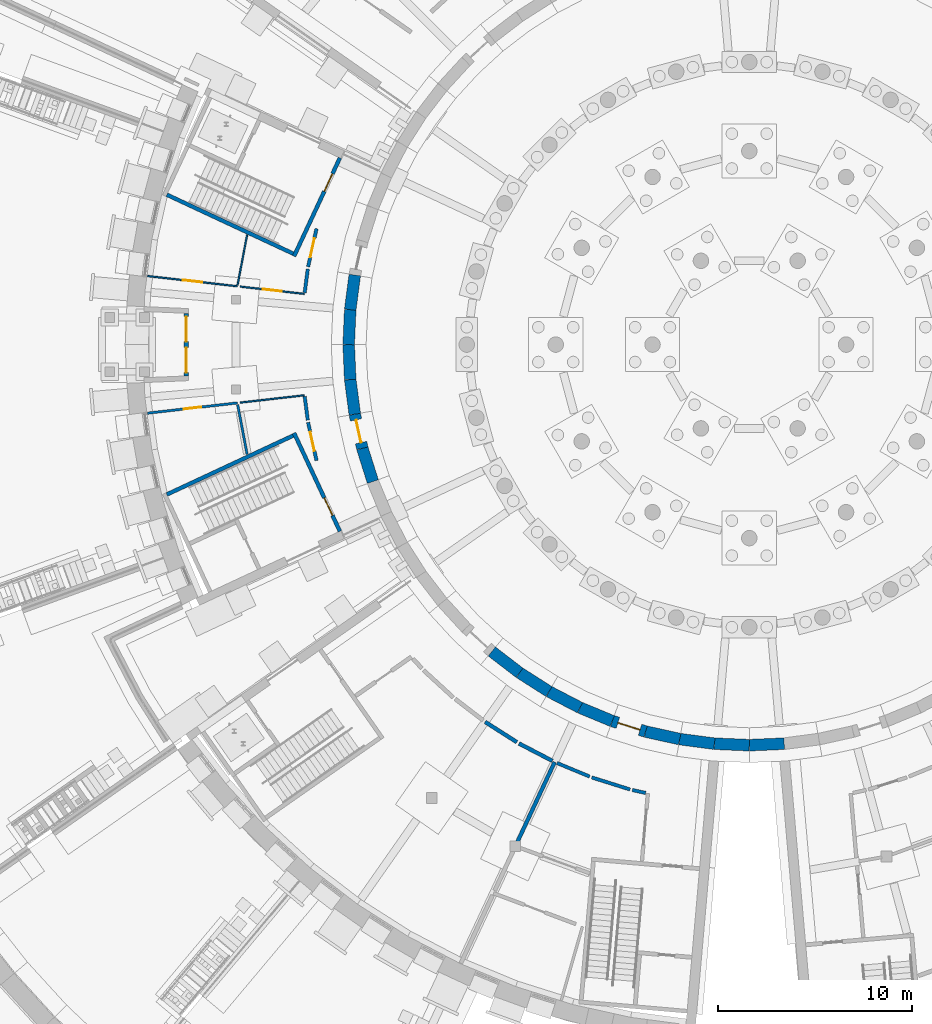
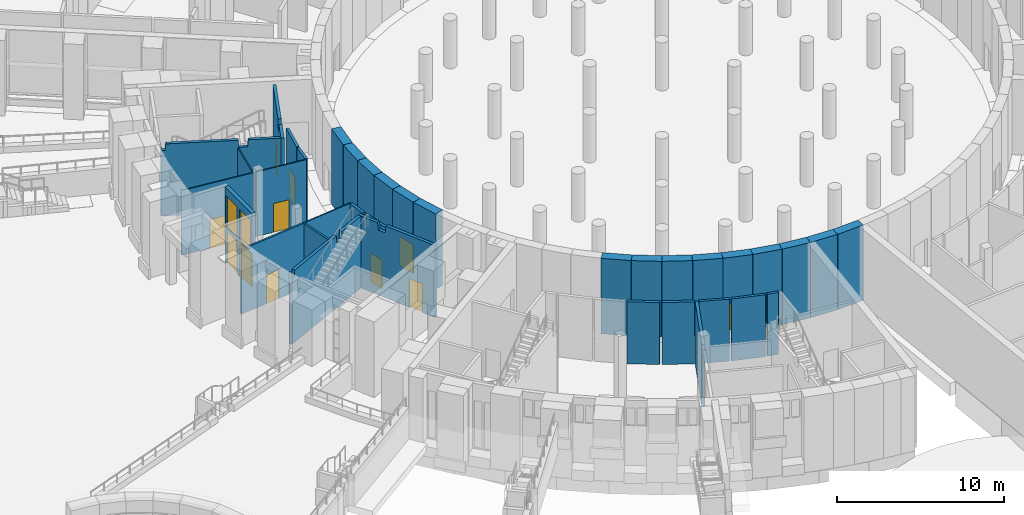
# One storey, part 39 of 65: 36 walls, 11 doors, 2 windows, 13 openings.
"""IFC4 building model written with IfcOpenShell, lengths in metres."""

from ifc_helpers import new_model, si_unit, direction, frame, frame_2d, origin, place, context, subcontext, project, spatial, polyline, rectangle, outline, extrude, material, layer, layer_set, type_object, element, fill, save


model = new_model("IFC4")

# Units and contexts
model_context = context("Model", 3, precision=1e-05, world=origin(), true_north=direction((0.0, 1.0)))
body_context = subcontext(model_context, "Body", "Model", "MODEL_VIEW")
ifc_project = project(units=[si_unit("LENGTHUNIT", "METRE"), si_unit("AREAUNIT", "SQUARE_METRE"), si_unit("VOLUMEUNIT", "CUBIC_METRE"), si_unit("PLANEANGLEUNIT", "RADIAN"), si_unit("MASSUNIT", "GRAM", prefix="KILO")], contexts=[model_context])

# Site, building, storey
site_placement = place(None, origin())
site = spatial("IfcSite", under=ifc_project, at=site_placement, CompositionType="ELEMENT")
building_placement = place(site_placement, origin())
building = spatial("IfcBuilding", under=site, at=building_placement, Name="Volute Hill Aquarium", CompositionType="ELEMENT")
storey_placement = place(building_placement, frame((0.0, 0.0, -5.5)))
storey = spatial("IfcBuildingStorey", under=building, at=storey_placement, Name="L00", CompositionType="ELEMENT", Elevation=-5.5)

# Wall, opening, door
ifc_material_1 = material(Name="Concrete C30/37", Category="concrete")
ifc_layer_1 = layer(ifc_material_1, 0.199951171875)
ifc_layer_set_1 = layer_set([ifc_layer_1], Name="Core wall 200 REI 60")
wall_type_1 = type_object("IfcWallType", Name="Core wall 200 REI 60", PredefinedType="SHEAR", material=ifc_layer_set_1)
wall_1_placement = place(storey_placement, frame((-21.15625, 9.64453125, 0.0), z_axis=(0.0, 0.0, 1.0), x_axis=(-0.422596646043, -0.906317866288, 0.0)))
wall_1 = element("IfcWall", 1, at=wall_1_placement, inside=storey, type_object=wall_type_1, Name="wc/S1-A/L00/in", PredefinedType="SHEAR", context=body_context, shape_type="SweptSolid", body=[
    extrude(outline(polyline([(0.0, 0.0), (5.599853515625, 0.0), (5.60009765625, 5.25), (4.181884765625, 5.25), (4.1318359375, 4.72998046875), (3.6318359375, 4.72998046875), (3.581787109375, 5.25), (0.0, 5.25), (0.0, 0.0)])), frame((0.0, 0.10009765625, 0.0), z_axis=(0.0, -1.0, 0.0), x_axis=(1.0, 0.0, 0.0)), (0.0, 0.0, 1.0), 0.199951171875),
])
opening_1_placement = place(wall_1_placement, frame((0.89990234375, 0.0, 0.0)))
opening_1 = element("IfcOpeningElement", 2, at=opening_1_placement, cuts=wall_1, Name="Opening D1.00.AS", PredefinedType="OPENING", context=body_context, shape_type="SweptSolid", body=[
    extrude(rectangle(XDim=1.0, YDim=2.10009765625, at=frame_2d((0.5, 1.050048828125))), frame((0.0, 0.10986328125, 0.0), z_axis=(0.0, -1.0, 0.0), x_axis=(1.0, 0.0, 0.0)), (0.0, 0.0, 1.0), 0.219970703125),
])
ifc_material_2 = material(Name="Timber, fire-rated", Category="wood")
door_type_1 = type_object("IfcDoorType", Name="Door 1000 x 2100 single EI1 30", OperationType="SINGLE_SWING_LEFT", PredefinedType="DOOR", material=ifc_material_2)
door_1_placement = place(opening_1_placement, origin())
door_1 = element("IfcDoor", 3, at=door_1_placement, inside=storey, type_object=door_type_1, Name="d/S1-A/L00/st", OperationType="SINGLE_SWING_RIGHT", OverallHeight=2.10009765625, OverallWidth=1.0, PredefinedType="DOOR", context=body_context, shape_type="SweptSolid", body=[
    extrude(rectangle(XDim=1.0, YDim=2.10009765625, at=frame_2d((0.5, 1.050048828125))), frame((0.0, 0.02490234375, 0.0), z_axis=(0.0, -1.0, 0.0), x_axis=(1.0, 0.0, 0.0)), (0.0, 0.0, 1.0), 0.050048828125),
])
fill(opening_1, door_1)

# Wall
wall_2_placement = place(storey_placement, frame((-23.5712890625, 4.7021484375, 0.0), z_axis=(0.0, 0.0, 1.0), x_axis=(-0.906300917592, 0.422632992999, 0.0)))
element("IfcWall", 4, at=wall_2_placement, inside=storey, type_object=wall_type_1, Name="wc/S1-A/L00/side", PredefinedType="SHEAR", context=body_context, shape_type="SweptSolid", body=[
    extrude(outline(polyline([(0.0, 0.0), (7.199951171875, 0.0), (7.199951171875, 5.25), (7.14990234375, 4.780029296875), (6.949951171875, 4.780029296875), (6.89990234375, 5.25), (2.55224609375, 5.25), (2.502197265625, 4.72998046875), (2.002197265625, 4.72998046875), (1.952392578125, 5.25), (0.0, 5.25), (0.0, 0.0)])), frame((0.0, 0.10009765625, 0.0), z_axis=(0.0, -1.0, 0.0), x_axis=(1.0, 0.0, 0.0)), (0.0, 0.0, 1.0), 0.199951171875),
])

# Wall, opening, door
wall_3_placement = place(storey_placement, frame((-21.15625, -9.64453125, 0.0), z_axis=(0.0, 0.0, 1.0), x_axis=(-0.422596646043, 0.906317866288, 0.0)))
wall_3 = element("IfcWall", 5, at=wall_3_placement, inside=storey, type_object=wall_type_1, Name="wc/S1-B/L00/in", PredefinedType="SHEAR", context=body_context, shape_type="SweptSolid", body=[
    extrude(outline(polyline([(0.0, 0.0), (5.599853515625, 0.0), (5.60009765625, 5.25), (4.181884765625, 5.25), (4.1318359375, 4.72998046875), (3.6318359375, 4.72998046875), (3.581787109375, 5.25), (0.0, 5.25), (0.0, 0.0)])), frame((0.0, 0.10009765625, 0.0), z_axis=(0.0, -1.0, 0.0), x_axis=(1.0, 0.0, 0.0)), (0.0, 0.0, 1.0), 0.199951171875),
])
opening_2_placement = place(wall_3_placement, frame((0.89990234375, 0.0, 0.0)))
opening_2 = element("IfcOpeningElement", 6, at=opening_2_placement, cuts=wall_3, Name="Opening D1.00.BS", PredefinedType="OPENING", context=body_context, shape_type="SweptSolid", body=[
    extrude(rectangle(XDim=1.0, YDim=2.10009765625, at=frame_2d((0.5, 1.050048828125))), frame((0.0, 0.10986328125, 0.0), z_axis=(0.0, -1.0, 0.0), x_axis=(1.0, 0.0, 0.0)), (0.0, 0.0, 1.0), 0.219970703125),
])
door_2_placement = place(opening_2_placement, origin())
door_2 = element("IfcDoor", 7, at=door_2_placement, inside=storey, type_object=door_type_1, Name="d/S1-B/L00/st", OperationType="SINGLE_SWING_RIGHT", OverallHeight=2.10009765625, OverallWidth=1.0, PredefinedType="DOOR", context=body_context, shape_type="SweptSolid", body=[
    extrude(rectangle(XDim=1.0, YDim=2.10009765625, at=frame_2d((0.5, 1.050048828125))), frame((0.0, 0.02490234375, 0.0), z_axis=(0.0, -1.0, 0.0), x_axis=(1.0, 0.0, 0.0)), (0.0, 0.0, 1.0), 0.050048828125),
])
fill(opening_2, door_2)

# Wall
wall_4_placement = place(storey_placement, frame((-23.5712890625, -4.7021484375, 0.0), z_axis=(0.0, 0.0, 1.0), x_axis=(-0.906300917592, -0.422632992999, 0.0)))
element("IfcWall", 8, at=wall_4_placement, inside=storey, type_object=wall_type_1, Name="wc/S1-B/L00/side", PredefinedType="SHEAR", context=body_context, shape_type="SweptSolid", body=[
    extrude(outline(polyline([(0.0, 0.0), (7.199951171875, 0.0), (7.199951171875, 5.25), (7.14990234375, 4.780029296875), (6.949951171875, 4.780029296875), (6.89990234375, 5.25), (2.55224609375, 5.25), (2.502197265625, 4.72998046875), (2.002197265625, 4.72998046875), (1.952392578125, 5.25), (0.0, 5.25), (0.0, 0.0)])), frame((0.0, 0.10009765625, 0.0), z_axis=(0.0, -1.0, 0.0), x_axis=(1.0, 0.0, 0.0)), (0.0, 0.0, 1.0), 0.199951171875),
])

# Wall, opening, door
ifc_material_3 = material(Name="Gypsum board on steel studs", Category="steel")
ifc_layer_2 = layer(ifc_material_3, 0.175048828125)
ifc_layer_set_2 = layer_set([ifc_layer_2], Name="Corridor partition 175 EI 60")
wall_type_2 = type_object("IfcWallType", Name="Corridor partition 175 EI 60", PredefinedType="PARTITIONING", material=ifc_layer_set_2)
wall_5_placement = place(storey_placement, frame((-22.361083984375, -5.99169921875, 0.0), z_axis=(0.0, 0.0, 1.0), x_axis=(-0.216508045227, 0.976280833752, 0.0)))
wall_5 = element("IfcWall", 9, at=wall_5_placement, inside=storey, type_object=wall_type_2, Name="pw/S1/L00/007", PredefinedType="PARTITIONING", context=body_context, shape_type="SweptSolid", body=[
    extrude(rectangle(XDim=2.01953125, YDim=0.175048828125, at=frame_2d((1.009765625, 0.0))), origin(), (0.0, 0.0, 1.0), 4.7099609375),
])
opening_3_placement = place(wall_5_placement, frame((0.509765625, 0.0, 0.0)))
opening_3 = element("IfcOpeningElement", 10, at=opening_3_placement, cuts=wall_5, Name="Opening D1.00.02", PredefinedType="OPENING", context=body_context, shape_type="SweptSolid", body=[
    extrude(rectangle(XDim=1.0, YDim=2.10009765625, at=frame_2d((0.5, 1.050048828125))), frame((0.0, 0.097412109375, 0.0), z_axis=(0.0, -1.0, 0.0), x_axis=(1.0, 0.0, 0.0)), (0.0, 0.0, 1.0), 0.195068359375),
])
door_3_placement = place(opening_3_placement, origin())
door_3 = element("IfcDoor", 11, at=door_3_placement, inside=storey, type_object=door_type_1, Name="d/S1/L00/02", OperationType="SINGLE_SWING_RIGHT", OverallHeight=2.10009765625, OverallWidth=1.0, PredefinedType="DOOR", context=body_context, shape_type="SweptSolid", body=[
    extrude(rectangle(XDim=1.0, YDim=2.10009765625, at=frame_2d((0.5, 1.050048828125))), frame((0.0, 0.02490234375, 0.0), z_axis=(0.0, -1.0, 0.0), x_axis=(1.0, 0.0, 0.0)), (0.0, 0.0, 1.0), 0.050048828125),
])
fill(opening_3, door_3)

wall_6_placement = place(storey_placement, frame((-22.79833984375, 4.02001953125, 0.0), z_axis=(0.0, 0.0, 1.0), x_axis=(0.216508045227, 0.976280833752, 0.0)))
wall_6 = element("IfcWall", 12, at=wall_6_placement, inside=storey, type_object=wall_type_2, Name="pw/S1/L00/008", PredefinedType="PARTITIONING", context=body_context, shape_type="SweptSolid", body=[
    extrude(rectangle(XDim=2.01953125, YDim=0.175048828125, at=frame_2d((1.009765625, 0.0))), origin(), (0.0, 0.0, 1.0), 4.7099609375),
])
opening_4_placement = place(wall_6_placement, frame((0.509765625, 0.0, 0.0)))
opening_4 = element("IfcOpeningElement", 13, at=opening_4_placement, cuts=wall_6, Name="Opening D1.00.01", PredefinedType="OPENING", context=body_context, shape_type="SweptSolid", body=[
    extrude(rectangle(XDim=1.0, YDim=2.10009765625, at=frame_2d((0.5, 1.050048828125))), frame((0.0, 0.097412109375, 0.0), z_axis=(0.0, -1.0, 0.0), x_axis=(1.0, 0.0, 0.0)), (0.0, 0.0, 1.0), 0.195068359375),
])
door_4_placement = place(opening_4_placement, origin())
door_4 = element("IfcDoor", 14, at=door_4_placement, inside=storey, type_object=door_type_1, Name="d/S1/L00/01", OperationType="SINGLE_SWING_LEFT", OverallHeight=2.10009765625, OverallWidth=1.0, PredefinedType="DOOR", context=body_context, shape_type="SweptSolid", body=[
    extrude(rectangle(XDim=1.0, YDim=2.10009765625, at=frame_2d((0.5, 1.050048828125))), frame((0.0, 0.02490234375, 0.0), z_axis=(0.0, -1.0, 0.0), x_axis=(1.0, 0.0, 0.0)), (0.0, 0.0, 1.0), 0.050048828125),
])
fill(opening_4, door_4)

# Walls
for number, where, z_axis, x_axis, name in (
    (15, (-22.813720703125, -3.903564453125, 0.0), (0.0, 0.0, 1.0), (-0.130428952468, 0.991457658379, 0.0), "pw/S1/L00/009"),
    (16, (-22.974853515625, 2.6787109375, 0.0), (0.0, 0.0, 1.0), (0.130428952468, 0.991457658379, 0.0), "pw/S1/L00/010"),
):
    element("IfcWall", number, at=place(storey_placement, frame(where, z_axis=z_axis, x_axis=x_axis)), inside=storey, type_object=wall_type_2, Name=name, PredefinedType="PARTITIONING", context=body_context, shape_type="SweptSolid", body=[
        extrude(rectangle(XDim=1.2353515625, YDim=0.175048828125, at=frame_2d((0.61767578125, 0.0))), origin(), (0.0, 0.0, 1.0), 4.7099609375),
    ])
wall_7_placement = place(storey_placement, frame((-6.159912109375, -22.989013671875, 0.0), z_axis=(0.0, 0.0, 1.0), x_axis=(-0.953730050022, 0.300664250759, 0.0)))
element("IfcWall", 17, at=wall_7_placement, inside=storey, type_object=wall_type_2, Name="pw/S2/L00/011", PredefinedType="PARTITIONING", context=body_context, shape_type="SweptSolid", body=[
    extrude(rectangle(XDim=2.076416015625, YDim=0.175048828125, at=frame_2d((1.0380859375, 0.0))), origin(), (0.0, 0.0, 1.0), 4.52001953125),
])
wall_8_placement = place(storey_placement, frame((-8.24853515625, -22.319580078125, 0.0), z_axis=(0.0, 0.0, 1.0), x_axis=(-0.923915967839, 0.382595457857, 0.0)))
element("IfcWall", 18, at=wall_8_placement, inside=storey, type_object=wall_type_2, Name="pw/S2/L00/013", PredefinedType="PARTITIONING", context=body_context, shape_type="SweptSolid", body=[
    extrude(rectangle(XDim=1.828857421875, YDim=0.175048828125, at=frame_2d((0.91455078125, 0.0))), origin(), (0.0, 0.0, 1.0), 4.52001953125),
])
wall_9_placement = place(storey_placement, frame((-5.35595703125, -23.167236328125, 0.0), z_axis=(0.0, 0.0, 1.0), x_axis=(-0.976284608058, 0.216491025379, 0.0)))
element("IfcWall", 19, at=wall_9_placement, inside=storey, type_object=wall_type_2, Name="pw/S2/L00/015", PredefinedType="PARTITIONING", context=body_context, shape_type="SweptSolid", body=[
    extrude(rectangle(XDim=0.7060546875, YDim=0.175048828125, at=frame_2d((0.35302734375, 0.0))), origin(), (0.0, 0.0, 1.0), 4.52001953125),
])
ifc_material_4 = material(Name="Concrete C35/45", Category="concrete")
ifc_layer_3 = layer(ifc_material_4, 0.60009765625)
ifc_layer_set_3 = layer_set([ifc_layer_3], Name="Drum wall C35/45 600")
wall_type_3 = type_object("IfcWallType", Name="Drum wall C35/45 600", PredefinedType="SHEAR", material=ifc_layer_set_3)
wall_10_placement = place(storey_placement, frame((-20.385498046875, 3.594482421875, 0.0), z_axis=(0.0, 0.0, 1.0), x_axis=(-0.130471999813, -0.991451994433, 0.0)))
element("IfcWall", 20, at=wall_10_placement, inside=storey, type_object=wall_type_3, Name="sw/DR/L00/34", PredefinedType="SHEAR", context=body_context, shape_type="SweptSolid", body=[
    extrude(rectangle(XDim=1.8056640625, YDim=0.60009765625, at=frame_2d((0.90283203125, 0.0))), origin(), (0.0, 0.0, 1.0), 5.5),
])
for number, where, z_axis, x_axis, name in (
    (21, (-20.62109375, 1.80419921875, 0.0), (0.0, 0.0, 1.0), (-0.043666024022, -0.999046184291, 0.0), "sw/DR/L00/35"),
    (22, (-20.699951171875, 0.0, 0.0), (0.0, 0.0, 1.0), (0.043666024022, -0.999046184291, 0.0), "sw/DR/L00/36"),
):
    element("IfcWall", number, at=place(storey_placement, frame(where, z_axis=z_axis, x_axis=x_axis)), inside=storey, type_object=wall_type_3, Name=name, PredefinedType="SHEAR", context=body_context, shape_type="SweptSolid", body=[
        extrude(rectangle(XDim=1.805908203125, YDim=0.60009765625, at=frame_2d((0.90283203125, 0.0))), origin(), (0.0, 0.0, 1.0), 5.5),
    ])
wall_11_placement = place(storey_placement, frame((-20.62109375, -1.80419921875, 0.0), z_axis=(0.0, 0.0, 1.0), x_axis=(0.130471999813, -0.991451994433, 0.0)))
element("IfcWall", 23, at=wall_11_placement, inside=storey, type_object=wall_type_3, Name="sw/DR/L00/37", PredefinedType="SHEAR", context=body_context, shape_type="SweptSolid", body=[
    extrude(rectangle(XDim=1.8056640625, YDim=0.60009765625, at=frame_2d((0.90283203125, 0.0))), origin(), (0.0, 0.0, 1.0), 5.5),
])

# Wall, opening, door
wall_12_placement = place(storey_placement, frame((-20.385498046875, -3.594482421875, 0.0), z_axis=(0.0, 0.0, 1.0), x_axis=(0.216429453554, -0.976298259567, 0.0)))
wall_12 = element("IfcWall", 24, at=wall_12_placement, inside=storey, type_object=wall_type_3, Name="sw/DR/L00/38", PredefinedType="SHEAR", context=body_context, shape_type="SweptSolid", body=[
    extrude(rectangle(XDim=1.805908203125, YDim=0.60009765625, at=frame_2d((0.90283203125, 0.0))), origin(), (0.0, 0.0, 1.0), 5.5),
])
opening_5_placement = place(wall_12_placement, frame((0.302978515625, 0.0, 0.0)))
opening_5 = element("IfcOpeningElement", 25, at=opening_5_placement, cuts=wall_12, Name="Opening D1.00.R2", PredefinedType="OPENING", context=body_context, shape_type="SweptSolid", body=[
    extrude(rectangle(XDim=1.199951171875, YDim=2.10009765625, at=frame_2d((0.60009765625, 1.050048828125))), frame((0.0, 0.31005859375, 0.0), z_axis=(0.0, -1.0, 0.0), x_axis=(1.0, 0.0, 0.0)), (0.0, 0.0, 1.0), 0.6201171875),
])
ifc_material_5 = material(Name="Timber, fire-rated", Category="wood")
door_type_2 = type_object("IfcDoorType", Name="Door 1200 x 2100 drum double EI1 30", OperationType="DOUBLE_DOOR_SINGLE_SWING", PredefinedType="DOOR", material=ifc_material_5)
door_5_placement = place(opening_5_placement, origin())
door_5 = element("IfcDoor", 26, at=door_5_placement, inside=storey, type_object=door_type_2, Name="d/S1/L00/dr2", OperationType="SINGLE_SWING_LEFT", OverallHeight=2.10009765625, OverallWidth=1.199951171875, PredefinedType="DOOR", context=body_context, shape_type="SweptSolid", body=[
    extrude(rectangle(XDim=1.199951171875, YDim=2.10009765625, at=frame_2d((0.60009765625, 1.050048828125))), frame((0.0, 0.02490234375, 0.0), z_axis=(0.0, -1.0, 0.0), x_axis=(1.0, 0.0, 0.0)), (0.0, 0.0, 1.0), 0.050048828125),
])
fill(opening_5, door_5)

# Walls
for number, where, z_axis, x_axis, name in (
    (27, (-19.99462890625, -5.357666015625, 0.0), (0.0, 0.0, 1.0), (0.300691330354, -0.953721512733, 0.0), "sw/DR/L00/39"),
    (28, (-13.3056640625, -15.857177734375, 0.0), (0.0, 0.0, 1.0), (0.793397400526, -0.608704004289, 0.0), "sw/DR/L00/46"),
):
    element("IfcWall", number, at=place(storey_placement, frame(where, z_axis=z_axis, x_axis=x_axis)), inside=storey, type_object=wall_type_3, Name=name, PredefinedType="SHEAR", context=body_context, shape_type="SweptSolid", body=[
        extrude(rectangle(XDim=1.8056640625, YDim=0.60009765625, at=frame_2d((0.90283203125, 0.0))), origin(), (0.0, 0.0, 1.0), 5.5),
    ])
for number, where, z_axis, x_axis, name in (
    (29, (-11.873046875, -16.956298828125, 0.0), (0.0, 0.0, 1.0), (0.843332890803, -0.537391510251, 0.0), "sw/DR/L00/47"),
    (30, (-10.35009765625, -17.9267578125, 0.0), (0.0, 0.0, 1.0), (0.887035219654, -0.461701764231, 0.0), "sw/DR/L00/48"),
    (31, (-8.748291015625, -18.760498046875, 0.0), (0.0, 0.0, 1.0), (0.923866889322, -0.382713954298, 0.0), "sw/DR/L00/49"),
):
    element("IfcWall", number, at=place(storey_placement, frame(where, z_axis=z_axis, x_axis=x_axis)), inside=storey, type_object=wall_type_3, Name=name, PredefinedType="SHEAR", context=body_context, shape_type="SweptSolid", body=[
        extrude(rectangle(XDim=1.805908203125, YDim=0.60009765625, at=frame_2d((0.90283203125, 0.0))), origin(), (0.0, 0.0, 1.0), 5.5),
    ])

# Wall, opening, door
wall_13_placement = place(storey_placement, frame((-7.079833984375, -19.45166015625, 0.0), z_axis=(0.0, 0.0, 1.0), x_axis=(0.953721512733, -0.300691330354, 0.0)))
wall_13 = element("IfcWall", 32, at=wall_13_placement, inside=storey, type_object=wall_type_3, Name="sw/DR/L00/50", PredefinedType="SHEAR", context=body_context, shape_type="SweptSolid", body=[
    extrude(rectangle(XDim=1.8056640625, YDim=0.60009765625, at=frame_2d((0.90283203125, 0.0))), origin(), (0.0, 0.0, 1.0), 5.5),
])
opening_6_placement = place(wall_13_placement, frame((0.302978515625, 0.0, 0.0)))
opening_6 = element("IfcOpeningElement", 33, at=opening_6_placement, cuts=wall_13, Name="Opening D2.00.R2", PredefinedType="OPENING", context=body_context, shape_type="SweptSolid", body=[
    extrude(rectangle(XDim=1.199951171875, YDim=2.10009765625, at=frame_2d((0.60009765625, 1.050048828125))), frame((0.0, 0.31005859375, 0.0), z_axis=(0.0, -1.0, 0.0), x_axis=(1.0, 0.0, 0.0)), (0.0, 0.0, 1.0), 0.6201171875),
])
door_6_placement = place(opening_6_placement, origin())
door_6 = element("IfcDoor", 34, at=door_6_placement, inside=storey, type_object=door_type_2, Name="d/S2/L00/dr2", OperationType="SINGLE_SWING_LEFT", OverallHeight=2.10009765625, OverallWidth=1.199951171875, PredefinedType="DOOR", context=body_context, shape_type="SweptSolid", body=[
    extrude(rectangle(XDim=1.199951171875, YDim=2.10009765625, at=frame_2d((0.60009765625, 1.050048828125))), frame((0.0, 0.02490234375, 0.0), z_axis=(0.0, -1.0, 0.0), x_axis=(1.0, 0.0, 0.0)), (0.0, 0.0, 1.0), 0.050048828125),
])
fill(opening_6, door_6)

# Walls
wall_14_placement = place(storey_placement, frame((-5.357666015625, -19.99462890625, 0.0), z_axis=(0.0, 0.0, 1.0), x_axis=(0.976298259567, -0.216429453554, 0.0)))
element("IfcWall", 35, at=wall_14_placement, inside=storey, type_object=wall_type_3, Name="sw/DR/L00/51", PredefinedType="SHEAR", context=body_context, shape_type="SweptSolid", body=[
    extrude(rectangle(XDim=1.805908203125, YDim=0.60009765625, at=frame_2d((0.90283203125, 0.0))), origin(), (0.0, 0.0, 1.0), 5.5),
])
wall_15_placement = place(storey_placement, frame((-3.594482421875, -20.385498046875, 0.0), z_axis=(0.0, 0.0, 1.0), x_axis=(0.991451994433, -0.130471999813, 0.0)))
element("IfcWall", 36, at=wall_15_placement, inside=storey, type_object=wall_type_3, Name="sw/DR/L00/52", PredefinedType="SHEAR", context=body_context, shape_type="SweptSolid", body=[
    extrude(rectangle(XDim=1.8056640625, YDim=0.60009765625, at=frame_2d((0.90283203125, 0.0))), origin(), (0.0, 0.0, 1.0), 5.5),
])
for number, where, z_axis, x_axis, name in (
    (37, (-1.80419921875, -20.62109375, 0.0), (0.0, 0.0, 1.0), (0.999046184291, -0.043666024022, 0.0), "sw/DR/L00/53"),
    (38, (0.0, -20.699951171875, 0.0), (0.0, 0.0, 1.0), (0.999046184291, 0.043666024022, 0.0), "sw/DR/L00/54"),
):
    element("IfcWall", number, at=place(storey_placement, frame(where, z_axis=z_axis, x_axis=x_axis)), inside=storey, type_object=wall_type_3, Name=name, PredefinedType="SHEAR", context=body_context, shape_type="SweptSolid", body=[
        extrude(rectangle(XDim=1.805908203125, YDim=0.60009765625, at=frame_2d((0.90283203125, 0.0))), origin(), (0.0, 0.0, 1.0), 5.5),
    ])
ifc_material_6 = material(Name="Masonry blockwork", Category="masonry")
ifc_layer_4 = layer(ifc_material_6, 0.199951171875)
ifc_layer_set_4 = layer_set([ifc_layer_4], Name="Fire partition 200 EI 60")
wall_type_4 = type_object("IfcWallType", Name="Fire partition 200 EI 60", PredefinedType="PARTITIONING", material=ifc_layer_set_4)
wall_16_placement = place(storey_placement, frame((-10.058349609375, -21.570068359375, 0.0), z_axis=(0.0, 0.0, 1.0), x_axis=(-0.422612881725, -0.90631029576, 0.0)))
element("IfcWall", 39, at=wall_16_placement, inside=storey, type_object=wall_type_4, Name="pw/S2/L00/001", PredefinedType="PARTITIONING", context=body_context, shape_type="SweptSolid", body=[
    extrude(rectangle(XDim=4.560302734375, YDim=0.199951171875, at=frame_2d((2.2802734375, 0.0))), origin(), (0.0, 0.0, 1.0), 4.52001953125),
])
for number, where, z_axis, x_axis, name in (
    (40, (-10.173583984375, -21.510009765625, 0.0), (0.0, 0.0, 1.0), (-0.887007216852, 0.461755560067, 0.0), "pw/S2/L00/010"),
    (41, (-12.009521484375, -20.54150390625, 0.0), (0.0, 0.0, 1.0), (-0.843428983881, 0.537240680839, 0.0), "pw/S2/L00/012"),
):
    element("IfcWall", number, at=place(storey_placement, frame(where, z_axis=z_axis, x_axis=x_axis)), inside=storey, type_object=wall_type_4, Name=name, PredefinedType="PARTITIONING", context=body_context, shape_type="SweptSolid", body=[
        extrude(rectangle(XDim=1.9462890625, YDim=0.199951171875, at=frame_2d((0.97314453125, 0.0))), origin(), (0.0, 0.0, 1.0), 4.52001953125),
    ])

# Wall, openings, windows, doors
ifc_material_7 = material(Name="Concrete C30/37", Category="concrete")
ifc_layer_5 = layer(ifc_material_7, 0.25)
ifc_layer_set_5 = layer_set([ifc_layer_5], Name="Glazed entrance wall 250")
wall_type_5 = type_object("IfcWallType", Name="Glazed entrance wall 250", PredefinedType="NOTDEFINED", material=ifc_layer_set_5)
wall_17_placement = place(storey_placement, frame((-29.090087890625, -1.616943359375, 0.0), z_axis=(0.0, 0.0, 1.0), x_axis=(0.0, 1.0, 0.0)))
wall_17 = element("IfcWall", 42, at=wall_17_placement, inside=storey, type_object=wall_type_5, Name="Glazed entrance wall OWN S1 L00", PredefinedType="NOTDEFINED", context=body_context, shape_type="SweptSolid", body=[
    extrude(rectangle(XDim=3.23388671875, YDim=0.25, at=frame_2d((1.616943359375, 0.0))), origin(), (0.0, 0.0, 1.0), 5.5),
])
opening_7_placement = place(wall_17_placement, frame((1.766845703125, 0.0, 0.0)))
opening_7 = element("IfcOpeningElement", 43, at=opening_7_placement, cuts=wall_17, Name="Opening ED01", PredefinedType="OPENING", context=body_context, shape_type="SweptSolid", body=[
    extrude(rectangle(XDim=1.300048828125, YDim=2.39990234375, at=frame_2d((0.64990234375, 1.199951171875))), frame((0.0, 0.135009765625, 0.0), z_axis=(0.0, -1.0, 0.0), x_axis=(1.0, 0.0, 0.0)), (0.0, 0.0, 1.0), 0.27001953125),
])
opening_8_placement = place(wall_17_placement, frame((1.766845703125, 0.0, 2.60009765625)))
opening_8 = element("IfcOpeningElement", 44, at=opening_8_placement, cuts=wall_17, Name="Opening W1", PredefinedType="OPENING", context=body_context, shape_type="SweptSolid", body=[
    extrude(rectangle(XDim=1.300048828125, YDim=2.300048828125, at=frame_2d((0.64990234375, 1.14990234375))), frame((0.0, 0.135009765625, 0.0), z_axis=(0.0, -1.0, 0.0), x_axis=(1.0, 0.0, 0.0)), (0.0, 0.0, 1.0), 0.27001953125),
])
opening_9_placement = place(wall_17_placement, frame((0.1669921875, 0.0, 0.0)))
opening_9 = element("IfcOpeningElement", 45, at=opening_9_placement, cuts=wall_17, Name="Opening ED02", PredefinedType="OPENING", context=body_context, shape_type="SweptSolid", body=[
    extrude(rectangle(XDim=1.300048828125, YDim=2.39990234375, at=frame_2d((0.64990234375, 1.199951171875))), frame((0.0, 0.135009765625, 0.0), z_axis=(0.0, -1.0, 0.0), x_axis=(1.0, 0.0, 0.0)), (0.0, 0.0, 1.0), 0.27001953125),
])
opening_10_placement = place(wall_17_placement, frame((0.1669921875, 0.0, 2.60009765625)))
opening_10 = element("IfcOpeningElement", 46, at=opening_10_placement, cuts=wall_17, Name="Opening W1", PredefinedType="OPENING", context=body_context, shape_type="SweptSolid", body=[
    extrude(rectangle(XDim=1.300048828125, YDim=2.300048828125, at=frame_2d((0.64990234375, 1.14990234375))), frame((0.0, 0.135009765625, 0.0), z_axis=(0.0, -1.0, 0.0), x_axis=(1.0, 0.0, 0.0)), (0.0, 0.0, 1.0), 0.27001953125),
])
ifc_material_8 = material(Name="Aluminium and glass", Category="aluminium")
window_type = type_object("IfcWindowType", Name="Fanlight window 1300x2300", PartitioningType="SINGLE_PANEL", PredefinedType="WINDOW", material=ifc_material_8)
window_1_placement = place(opening_8_placement, origin())
window_1 = element("IfcWindow", 47, at=window_1_placement, inside=storey, type_object=window_type, Name="Fanlight S1 L00 1", OverallHeight=2.300048828125, OverallWidth=1.300048828125, PartitioningType="SINGLE_PANEL", PredefinedType="WINDOW", context=body_context, shape_type="SweptSolid", body=[
    extrude(rectangle(XDim=1.300048828125, YDim=2.300048828125, at=frame_2d((0.64990234375, 1.14990234375))), frame((0.0, 0.030029296875, 0.0), z_axis=(0.0, -1.0, 0.0), x_axis=(1.0, 0.0, 0.0)), (0.0, 0.0, 1.0), 0.06005859375),
])
fill(opening_8, window_1)
window_2_placement = place(opening_10_placement, origin())
window_2 = element("IfcWindow", 48, at=window_2_placement, inside=storey, type_object=window_type, Name="Fanlight S1 L00 2", OverallHeight=2.300048828125, OverallWidth=1.300048828125, PartitioningType="SINGLE_PANEL", PredefinedType="WINDOW", context=body_context, shape_type="SweptSolid", body=[
    extrude(rectangle(XDim=1.300048828125, YDim=2.300048828125, at=frame_2d((0.64990234375, 1.14990234375))), frame((0.0, 0.030029296875, 0.0), z_axis=(0.0, -1.0, 0.0), x_axis=(1.0, 0.0, 0.0)), (0.0, 0.0, 1.0), 0.06005859375),
])
fill(opening_10, window_2)
ifc_material_9 = material(Name="Aluminium and glass", Category="aluminium")
door_type_3 = type_object("IfcDoorType", Name="Glazed entrance double door 1300x2400", OperationType="DOUBLE_DOOR_SINGLE_SWING", PredefinedType="DOOR", material=ifc_material_9)
door_7_placement = place(opening_7_placement, origin())
door_7 = element("IfcDoor", 49, at=door_7_placement, inside=storey, type_object=door_type_3, Name="External door ED01 S1 L00", OperationType="DOUBLE_DOOR_SINGLE_SWING", OverallHeight=2.39990234375, OverallWidth=1.300048828125, PredefinedType="DOOR", context=body_context, shape_type="SweptSolid", body=[
    extrude(rectangle(XDim=1.300048828125, YDim=2.39990234375, at=frame_2d((0.64990234375, 1.199951171875))), frame((0.0, 0.02490234375, 0.0), z_axis=(0.0, -1.0, 0.0), x_axis=(1.0, 0.0, 0.0)), (0.0, 0.0, 1.0), 0.050048828125),
])
fill(opening_7, door_7)
door_8_placement = place(opening_9_placement, origin())
door_8 = element("IfcDoor", 50, at=door_8_placement, inside=storey, type_object=door_type_3, Name="External door ED02 S1 L00", OperationType="DOUBLE_DOOR_SINGLE_SWING", OverallHeight=2.39990234375, OverallWidth=1.300048828125, PredefinedType="DOOR", context=body_context, shape_type="SweptSolid", body=[
    extrude(rectangle(XDim=1.300048828125, YDim=2.39990234375, at=frame_2d((0.64990234375, 1.199951171875))), frame((0.0, 0.02490234375, 0.0), z_axis=(0.0, -1.0, 0.0), x_axis=(1.0, 0.0, 0.0)), (0.0, 0.0, 1.0), 0.050048828125),
])
fill(opening_9, door_8)

# Wall, opening, door
ifc_material_10 = material(Name="Gypsum board on steel studs", Category="steel")
ifc_layer_6 = layer(ifc_material_10, 0.074951171875)
ifc_layer_set_6 = layer_set([ifc_layer_6], Name="Shopfitting stud partition 75")
wall_type_6 = type_object("IfcWallType", Name="Shopfitting stud partition 75", PredefinedType="PARTITIONING", material=ifc_layer_set_6)
wall_18_placement = place(storey_placement, frame((-31.09375, 3.542724609375, 0.0), z_axis=(0.0, 0.0, 1.0), x_axis=(0.993573891443, -0.113185344645, 0.0)))
wall_18 = element("IfcWall", 51, at=wall_18_placement, inside=storey, type_object=wall_type_6, Name="pw/S1/L00/001", PredefinedType="PARTITIONING", context=body_context, shape_type="SweptSolid", body=[
    extrude(rectangle(XDim=4.669921875, YDim=0.074951171875, at=frame_2d((2.3349609375, 0.0))), origin(), (0.0, 0.0, 1.0), 4.7099609375),
])
opening_11_placement = place(wall_18_placement, frame((1.8349609375, 0.0, 0.0)))
opening_11 = element("IfcOpeningElement", 52, at=opening_11_placement, cuts=wall_18, Name="Opening D1.00.04", PredefinedType="OPENING", context=body_context, shape_type="SweptSolid", body=[
    extrude(rectangle(XDim=1.0, YDim=2.10009765625, at=frame_2d((0.5, 1.050048828125))), frame((0.0, 0.04736328125, 0.0), z_axis=(0.0, -1.0, 0.0), x_axis=(1.0, 0.0, 0.0)), (0.0, 0.0, 1.0), 0.094970703125),
])
ifc_material_11 = material(Name="Timber", Category="wood")
door_type_4 = type_object("IfcDoorType", Name="Door 1000 x 2100 single", OperationType="SINGLE_SWING_LEFT", PredefinedType="DOOR", material=ifc_material_11)
door_9_placement = place(opening_11_placement, origin())
door_9 = element("IfcDoor", 53, at=door_9_placement, inside=storey, type_object=door_type_4, Name="d/S1/L00/04", OperationType="SINGLE_SWING_RIGHT", OverallHeight=2.10009765625, OverallWidth=1.0, PredefinedType="DOOR", context=body_context, shape_type="SweptSolid", body=[
    extrude(rectangle(XDim=1.0, YDim=2.10009765625, at=frame_2d((0.5, 1.050048828125))), frame((0.0, 0.02490234375, 0.0), z_axis=(0.0, -1.0, 0.0), x_axis=(1.0, 0.0, 0.0)), (0.0, 0.0, 1.0), 0.050048828125),
])
fill(opening_11, door_9)

wall_19_placement = place(storey_placement, frame((-23.001220703125, 2.62060546875, 0.0), z_axis=(0.0, 0.0, 1.0), x_axis=(-0.99357001105, 0.113219402678, 0.0)))
wall_19 = element("IfcWall", 54, at=wall_19_placement, inside=storey, type_object=wall_type_6, Name="pw/S1/L00/003", PredefinedType="PARTITIONING", context=body_context, shape_type="SweptSolid", body=[
    extrude(rectangle(XDim=3.3251953125, YDim=0.074951171875, at=frame_2d((1.66259765625, 0.0))), origin(), (0.0, 0.0, 1.0), 4.7099609375),
])
opening_12_placement = place(wall_19_placement, frame((1.16259765625, 0.0, 0.0)))
opening_12 = element("IfcOpeningElement", 55, at=opening_12_placement, cuts=wall_19, Name="Opening D1.00.03", PredefinedType="OPENING", context=body_context, shape_type="SweptSolid", body=[
    extrude(rectangle(XDim=1.0, YDim=2.10009765625, at=frame_2d((0.5, 1.050048828125))), frame((0.0, 0.04736328125, 0.0), z_axis=(0.0, -1.0, 0.0), x_axis=(1.0, 0.0, 0.0)), (0.0, 0.0, 1.0), 0.094970703125),
])
door_10_placement = place(opening_12_placement, origin())
door_10 = element("IfcDoor", 56, at=door_10_placement, inside=storey, type_object=door_type_4, Name="d/S1/L00/03", OperationType="SINGLE_SWING_LEFT", OverallHeight=2.10009765625, OverallWidth=1.0, PredefinedType="DOOR", context=body_context, shape_type="SweptSolid", body=[
    extrude(rectangle(XDim=1.0, YDim=2.10009765625, at=frame_2d((0.5, 1.050048828125))), frame((0.0, 0.02490234375, 0.0), z_axis=(0.0, -1.0, 0.0), x_axis=(1.0, 0.0, 0.0)), (0.0, 0.0, 1.0), 0.050048828125),
])
fill(opening_12, door_10)

# Walls
wall_20_placement = place(storey_placement, frame((-26.304931640625, -2.9970703125, 0.0), z_axis=(0.0, 0.0, 1.0), x_axis=(0.99357001105, 0.113219402678, 0.0)))
element("IfcWall", 57, at=wall_20_placement, inside=storey, type_object=wall_type_6, Name="pw/S1/L00/004", PredefinedType="PARTITIONING", context=body_context, shape_type="SweptSolid", body=[
    extrude(rectangle(XDim=3.3251953125, YDim=0.074951171875, at=frame_2d((1.66259765625, 0.0))), origin(), (0.0, 0.0, 1.0), 4.7099609375),
])
wall_21_placement = place(storey_placement, frame((-26.44140625, 3.08056640625, 0.0), z_axis=(0.0, 0.0, 1.0), x_axis=(0.186605174024, 0.982434989721, 0.0)))
element("IfcWall", 58, at=wall_21_placement, inside=storey, type_object=wall_type_6, Name="pw/S1/L00/005", PredefinedType="PARTITIONING", context=body_context, shape_type="SweptSolid", body=[
    extrude(rectangle(XDim=2.633544921875, YDim=0.074951171875, at=frame_2d((1.31689453125, 0.0))), origin(), (0.0, 0.0, 1.0), 4.7099609375),
])

# Wall, opening, door
ifc_material_12 = material(Name="Gypsum board on steel studs, tiled", Category="steel")
ifc_layer_7 = layer(ifc_material_12, 0.125)
ifc_layer_set_7 = layer_set([ifc_layer_7], Name="Wet-area partition 125")
wall_type_7 = type_object("IfcWallType", Name="Wet-area partition 125", PredefinedType="PARTITIONING", material=ifc_layer_set_7)
wall_22_placement = place(storey_placement, frame((-26.453857421875, -3.01416015625, 0.0), z_axis=(0.0, 0.0, 1.0), x_axis=(-0.993573891443, -0.113185344645, 0.0)))
wall_22 = element("IfcWall", 59, at=wall_22_placement, inside=storey, type_object=wall_type_7, Name="pw/S1/L00/002", PredefinedType="PARTITIONING", context=body_context, shape_type="SweptSolid", body=[
    extrude(rectangle(XDim=4.669921875, YDim=0.125, at=frame_2d((2.3349609375, 0.0))), origin(), (0.0, 0.0, 1.0), 4.7099609375),
])
opening_13_placement = place(wall_22_placement, frame((1.885009765625, 0.0, 0.0)))
opening_13 = element("IfcOpeningElement", 60, at=opening_13_placement, cuts=wall_22, Name="Opening D1.00.05", PredefinedType="OPENING", context=body_context, shape_type="SweptSolid", body=[
    extrude(rectangle(XDim=0.89990234375, YDim=2.10009765625, at=frame_2d((0.449951171875, 1.050048828125))), frame((0.0, 0.072509765625, 0.0), z_axis=(0.0, -1.0, 0.0), x_axis=(1.0, 0.0, 0.0)), (0.0, 0.0, 1.0), 0.14501953125),
])
ifc_material_13 = material(Name="Timber", Category="wood")
door_type_5 = type_object("IfcDoorType", Name="Door 900 x 2100 wc single", OperationType="SINGLE_SWING_LEFT", PredefinedType="DOOR", material=ifc_material_13)
door_11_placement = place(opening_13_placement, origin())
door_11 = element("IfcDoor", 61, at=door_11_placement, inside=storey, type_object=door_type_5, Name="d/S1/L00/05", OperationType="SINGLE_SWING_LEFT", OverallHeight=2.10009765625, OverallWidth=0.89990234375, PredefinedType="DOOR", context=body_context, shape_type="SweptSolid", body=[
    extrude(rectangle(XDim=0.89990234375, YDim=2.10009765625, at=frame_2d((0.449951171875, 1.050048828125))), frame((0.0, 0.02490234375, 0.0), z_axis=(0.0, -1.0, 0.0), x_axis=(1.0, 0.0, 0.0)), (0.0, 0.0, 1.0), 0.050048828125),
])
fill(opening_13, door_11)

# Wall
wall_23_placement = place(storey_placement, frame((-25.949951171875, -5.66796875, 0.0), z_axis=(0.0, 0.0, 1.0), x_axis=(-0.186514318858, 0.982452242534, 0.0)))
element("IfcWall", 62, at=wall_23_placement, inside=storey, type_object=wall_type_7, Name="pw/S1/L00/006", PredefinedType="PARTITIONING", context=body_context, shape_type="SweptSolid", body=[
    extrude(rectangle(XDim=2.60888671875, YDim=0.125, at=frame_2d((1.304443359375, 0.0))), origin(), (0.0, 0.0, 1.0), 4.7099609375),
])

save(model, "model.ifc")
